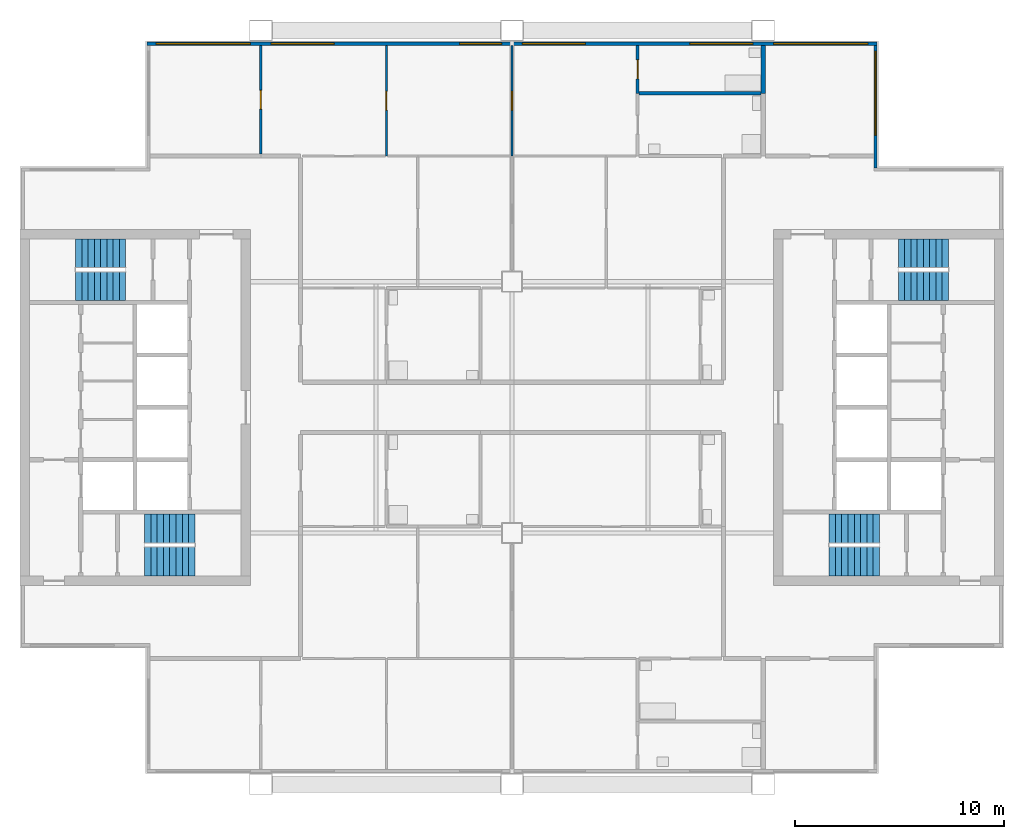
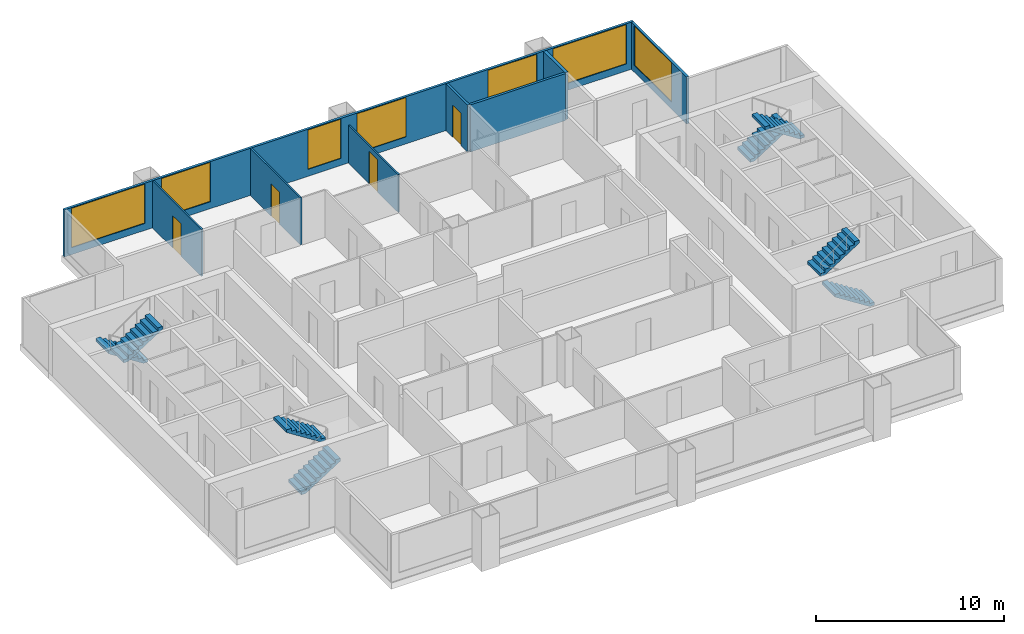
# One storey, part 6 of 8: 8 stair flights, 8 walls, 7 windows, 4 doors, 11 openings, 4 elements without a shape of their own.
"""IFC4 building model written with IfcOpenShell, lengths in metres."""

import ifcopenshell
import ifcopenshell.guid

model = None  # the IFC model being written
_history = None  # IfcOwnerHistory: only IFC2X3 demands one
_inside = {}  # id of a spatial element -> (the spatial element, [elements in it])
_under = {}  # id of a project, library or spatial element -> (it, [spatial elements below it])
_declared = {}  # id of a project -> (the project, [libraries it declares])
_typed = {}  # id of a type object -> (the type object, [elements of that type])
_made_of = {}  # id of a material, layer set ... -> (it, [elements and type objects made of it])


def new_model(schema):
    """Start an empty IFC model of exactly this schema.

    Asked for "IFC4X3", IfcOpenShell would pick the latest addendum, in which some entities
    have other attributes; the version numbers below select the first issue.
    IFC2X3 requires an IfcOwnerHistory on every rooted entity: one is made here for all.
    """
    global model, _history
    if schema == "IFC4X3":
        model = ifcopenshell.file(schema_version=(4, 3, 0, 0))
    else:
        model = ifcopenshell.file(schema=schema)
    _inside.clear()
    _under.clear()
    _declared.clear()
    _typed.clear()
    _made_of.clear()
    _history = None
    if model.schema == "IFC2X3":
        org = make("IfcOrganization", Name="unknown")
        user = make(
            "IfcPersonAndOrganization",
            ThePerson=make("IfcPerson", FamilyName="unknown"),
            TheOrganization=org,
        )
        app = make(
            "IfcApplication",
            ApplicationDeveloper=org,
            Version="unknown",
            ApplicationFullName="unknown",
            ApplicationIdentifier="unknown",
        )
        _history = make(
            "IfcOwnerHistory",
            OwningUser=user,
            OwningApplication=app,
            ChangeAction="ADDED",
            CreationDate=0,
        )
    return model


def make(cls, **values):
    """One entity of the class cls with the attributes given. An attribute that is None is left unset."""
    return model.create_entity(
        cls, **{name: value for name, value in values.items() if value is not None}
    )


def rooted(cls, **values):
    """An entity with a GlobalId (a new one), such as an element, a storey or a relation."""
    return make(cls, GlobalId=ifcopenshell.guid.new(), OwnerHistory=_history, **values)


def si_unit(unit_type, name, prefix=None):
    """IfcSIUnit, for example si_unit("LENGTHUNIT", "METRE", prefix="MILLI")."""
    return make("IfcSIUnit", UnitType=unit_type, Prefix=prefix, Name=name)


def assignment(units):
    """IfcUnitAssignment: the units of a project."""
    return None if units is None else make("IfcUnitAssignment", Units=units)


def point(xyz):
    """IfcCartesianPoint."""
    return None if xyz is None else make("IfcCartesianPoint", Coordinates=xyz)


def direction(xyz):
    """IfcDirection."""
    return None if xyz is None else make("IfcDirection", DirectionRatios=xyz)


def frame(location, z_axis=None, x_axis=None):
    """IfcAxis2Placement3D, a coordinate frame: its origin and axes. An axis left out is left unset."""
    return make(
        "IfcAxis2Placement3D",
        Location=point(location),
        Axis=direction(z_axis),
        RefDirection=direction(x_axis),
    )


def frame_2d(location, x_axis=None):
    """IfcAxis2Placement2D, a coordinate frame in the plane: its origin and x axis."""
    return make(
        "IfcAxis2Placement2D", Location=point(location), RefDirection=direction(x_axis)
    )


def origin():
    """The frame at (0, 0, 0) with its axes left unset."""
    return frame((0.0, 0.0, 0.0))


def place(relative_to, where):
    """IfcLocalPlacement: puts the frame where relative to a parent placement (None: the world)."""
    return make(
        "IfcLocalPlacement", PlacementRelTo=relative_to, RelativePlacement=where
    )


def context(
    kind, dimensions, precision=None, world=None, true_north=None, identifier=None
):
    """IfcGeometricRepresentationContext, for example the 3D "Model" context."""
    return make(
        "IfcGeometricRepresentationContext",
        ContextIdentifier=identifier,
        ContextType=kind,
        CoordinateSpaceDimension=dimensions,
        Precision=precision,
        WorldCoordinateSystem=world,
        TrueNorth=true_north,
    )


def subcontext(parent, identifier, kind, view, scale=None):
    """IfcGeometricRepresentationSubContext, for example "Body" below "Model"."""
    return make(
        "IfcGeometricRepresentationSubContext",
        ContextIdentifier=identifier,
        ContextType=kind,
        ParentContext=parent,
        TargetScale=scale,
        TargetView=view,
    )


def project(units=None, contexts=None):
    """IfcProject with its units and contexts."""
    return rooted(
        "IfcProject",
        Name="project",
        RepresentationContexts=contexts,
        UnitsInContext=assignment(units),
    )


def spatial(cls, under=None, at=None, **own):
    """A site, building, storey or space (cls), placed at a placement, below another one or the project."""
    s = rooted(cls, ObjectPlacement=at, **own)
    if under is not None:
        _under.setdefault(under.id(), (under, []))[1].append(s)
    return s


def polyline(points):
    """IfcPolyline through the points."""
    return make("IfcPolyline", Points=[point(p) for p in points])


def profile(cls, at=None, kind="AREA", **sizes):
    """A parametric profile (cls). Its sizes go by their IFC names, for example OverallWidth=200.0."""
    return make(cls, ProfileType=kind, Position=at, **sizes)


def rectangle(**sizes):
    """IfcRectangleProfileDef."""
    return profile("IfcRectangleProfileDef", **sizes)


def outline(outer, holes=None, kind="AREA"):
    """IfcArbitraryClosedProfileDef: a profile drawn as a closed curve; with holes, ...WithVoids."""
    if holes is None:
        return make("IfcArbitraryClosedProfileDef", ProfileType=kind, OuterCurve=outer)
    return make(
        "IfcArbitraryProfileDefWithVoids",
        ProfileType=kind,
        OuterCurve=outer,
        InnerCurves=holes,
    )


def extrude(swept, where, along, depth):
    """IfcExtrudedAreaSolid: the profile swept, set in the frame where, extruded along a direction by depth."""
    return make(
        "IfcExtrudedAreaSolid",
        SweptArea=swept,
        Position=where,
        ExtrudedDirection=direction(along),
        Depth=depth,
    )


def shape(context_of_items, identifier, shape_type, items):
    """IfcShapeRepresentation: the items that make up one representation, for example the "Body"."""
    return make(
        "IfcShapeRepresentation",
        ContextOfItems=context_of_items,
        RepresentationIdentifier=identifier,
        RepresentationType=shape_type,
        Items=items,
    )


def material(Name=None, Category=None):
    """IfcMaterial."""
    return make("IfcMaterial", Name=Name, Category=Category)


def layer(
    of_material, thickness, ventilated=None, Name=None, Category=None, Priority=None
):
    """IfcMaterialLayer: one layer of a wall or slab, of a material (None: an air gap)."""
    return make(
        "IfcMaterialLayer",
        Material=of_material,
        LayerThickness=thickness,
        IsVentilated=ventilated,
        Name=Name,
        Category=Category,
        Priority=Priority,
    )


def layer_set(layers, Name=None):
    """IfcMaterialLayerSet."""
    return make("IfcMaterialLayerSet", MaterialLayers=layers, LayerSetName=Name)


def made_of(thing, what):
    """Note that an element or type object is made of a material, layer set ...; save() writes the relation."""
    if what is not None:
        _made_of.setdefault(what.id(), (what, []))[1].append(thing)
    return thing


def type_object(cls, material=None, **own):
    """A type object (cls), such as IfcWallType, which elements share."""
    return made_of(rooted(cls, **own), material)


def element(
    cls,
    number,
    at=None,
    inside=None,
    cuts=None,
    type_object=None,
    material=None,
    context=None,
    identifier="Body",
    shape_type=None,
    held_by="IfcProductDefinitionShape",
    body=None,
    shapes=None,
    **own,
):
    """One element of the class cls, such as IfcWall. Its Tag is "e" and its number.

    at: its placement. inside: the storey or other place that contains it. cuts: it is an
    opening in that element (IfcRelVoidsElement). A single representation is given by context,
    identifier, shape_type and body (its items); several are given by shapes. held_by: the class
    of the entity that holds the representations. save() writes the other relations.
    """
    e = rooted(cls, Tag="e%d" % number, ObjectPlacement=at, **own)
    if body is not None:
        shapes = [shape(context, identifier, shape_type, body)]
    if shapes is not None:
        e.Representation = make(held_by, Representations=shapes)
    if inside is not None:
        _inside.setdefault(inside.id(), (inside, []))[1].append(e)
    if cuts is not None:
        rooted(
            "IfcRelVoidsElement", RelatingBuildingElement=cuts, RelatedOpeningElement=e
        )
    if type_object is not None:
        _typed.setdefault(type_object.id(), (type_object, []))[1].append(e)
    return made_of(e, material)


def fill(opening, filler):
    """IfcRelFillsElement: the door or window that sits in an opening."""
    return rooted(
        "IfcRelFillsElement",
        RelatingOpeningElement=opening,
        RelatedBuildingElement=filler,
    )


def aggregate(whole, parts):
    """IfcRelAggregates: a whole, such as a stair, and the parts it consists of."""
    return rooted("IfcRelAggregates", RelatingObject=whole, RelatedObjects=parts)


def save(model, path):
    """Write the relations noted so far, then the file.

    IfcRelAggregates (storeys below a building ...), IfcRelContainedInSpatialStructure (elements
    in a storey), IfcRelDefinesByType, IfcRelAssociatesMaterial and IfcRelDeclares: one each for
    every whole, place, type object, material and project.
    """
    for whole, parts in _under.values():
        aggregate(whole, parts)
    for where, things in _inside.values():
        rooted(
            "IfcRelContainedInSpatialStructure",
            RelatedElements=things,
            RelatingStructure=where,
        )
    for kind, things in _typed.values():
        rooted("IfcRelDefinesByType", RelatedObjects=things, RelatingType=kind)
    for what, things in _made_of.values():
        rooted("IfcRelAssociatesMaterial", RelatedObjects=things, RelatingMaterial=what)
    for by, libraries in _declared.values():
        rooted("IfcRelDeclares", RelatingContext=by, RelatedDefinitions=libraries)
    model.write(path)


model = new_model("IFC4")

# Units and contexts
model_context = context("Model", 3, precision=1e-05, world=origin(), true_north=direction((0.0, 1.0)))
body_context = subcontext(model_context, "Body", "Model", "MODEL_VIEW")
ifc_project = project(units=[si_unit("LENGTHUNIT", "METRE"), si_unit("AREAUNIT", "SQUARE_METRE"), si_unit("VOLUMEUNIT", "CUBIC_METRE"), si_unit("PLANEANGLEUNIT", "RADIAN"), si_unit("MASSUNIT", "GRAM", prefix="KILO")], contexts=[model_context])

# Site, building, storey
site_placement = place(None, origin())
site = spatial("IfcSite", under=ifc_project, at=site_placement, CompositionType="ELEMENT")
building_placement = place(site_placement, origin())
building = spatial("IfcBuilding", under=site, at=building_placement, Name="Kitamizu Gate Tower and Museum", CompositionType="ELEMENT")
storey_placement = place(building_placement, frame((0.0, 0.0, 228.300048828125)))
storey = spatial("IfcBuildingStorey", under=building, at=storey_placement, Name="L61", CompositionType="ELEMENT", Elevation=228.300048828125)

# Wall, opening, door
ifc_material_1 = material(Name="Gypsum board on galvanised stud")
ifc_layer_1 = layer(ifc_material_1, 0.10009765625)
ifc_layer_set_1 = layer_set([ifc_layer_1], Name="Gypsum board on galvanised stud")
wall_type_1 = type_object("IfcWallType", Name="Partition 100 NOT RATED", PredefinedType="PARTITIONING", material=ifc_layer_set_1)
wall_1_placement = place(storey_placement, frame((24.0, 42.10009765625, 0.0), z_axis=(0.0, 0.0, 1.0), x_axis=(0.0, 1.0, 0.0)))
wall_1 = element("IfcWall", 1, at=wall_1_placement, inside=storey, type_object=wall_type_1, Name="Partition L61-038", PredefinedType="PARTITIONING", context=body_context, shape_type="SweptSolid", body=[
    extrude(rectangle(XDim=5.179931640625, YDim=0.10009765625, at=frame_2d((2.58984375, 0.0))), origin(), (0.0, 0.0, 1.0), 3.050048828125),
])
opening_1_placement = place(wall_1_placement, frame((2.139892578125, 0.0, 0.0)))
opening_1 = element("IfcOpeningElement", 2, at=opening_1_placement, cuts=wall_1, Name="Opening L61-027", PredefinedType="OPENING", context=body_context, shape_type="SweptSolid", body=[
    extrude(rectangle(XDim=0.89990234375, YDim=2.10009765625, at=frame_2d((0.449951171875, 1.050048828125))), frame((0.0, 0.06005859375, 0.0), z_axis=(0.0, -1.0, 0.0), x_axis=(1.0, 0.0, 0.0)), (0.0, 0.0, 1.0), 0.1201171875),
])
ifc_material_2 = material(Name="Timber door set", Category="wood")
door_type_1 = type_object("IfcDoorType", Name="Room door 900", OperationType="NOTDEFINED", PredefinedType="DOOR", material=ifc_material_2)
door_1_placement = place(opening_1_placement, origin())
door_1 = element("IfcDoor", 3, at=door_1_placement, inside=storey, type_object=door_type_1, Name="Door L61-027", OperationType="SINGLE_SWING_RIGHT", OverallHeight=2.10009765625, OverallWidth=0.89990234375, PredefinedType="DOOR", context=body_context, shape_type="SweptSolid", body=[
    extrude(rectangle(XDim=0.89990234375, YDim=2.10009765625, at=frame_2d((0.449951171875, 1.050048828125))), frame((0.0, 0.02490234375, 0.0), z_axis=(0.0, -1.0, 0.0), x_axis=(1.0, 0.0, 0.0)), (0.0, 0.0, 1.0), 0.050048828125),
])
fill(opening_1, door_1)

wall_2_placement = place(storey_placement, frame((30.0, 42.0, 0.0), z_axis=(0.0, 0.0, 1.0), x_axis=(0.0, 1.0, 0.0)))
wall_2 = element("IfcWall", 4, at=wall_2_placement, inside=storey, type_object=wall_type_1, Name="Partition L61-040", PredefinedType="PARTITIONING", context=body_context, shape_type="SweptSolid", body=[
    extrude(rectangle(XDim=5.280029296875, YDim=0.10009765625, at=frame_2d((2.64013671875, 0.0))), origin(), (0.0, 0.0, 1.0), 3.050048828125),
])
opening_2_placement = place(wall_2_placement, frame((2.18994140625, 0.0, 0.0)))
opening_2 = element("IfcOpeningElement", 5, at=opening_2_placement, cuts=wall_2, Name="Opening L61-018", PredefinedType="OPENING", context=body_context, shape_type="SweptSolid", body=[
    extrude(rectangle(XDim=0.89990234375, YDim=2.10009765625, at=frame_2d((0.449951171875, 1.050048828125))), frame((0.0, 0.06005859375, 0.0), z_axis=(0.0, -1.0, 0.0), x_axis=(1.0, 0.0, 0.0)), (0.0, 0.0, 1.0), 0.1201171875),
])
door_2_placement = place(opening_2_placement, origin())
door_2 = element("IfcDoor", 6, at=door_2_placement, inside=storey, type_object=door_type_1, Name="Door L61-018", OperationType="SINGLE_SWING_LEFT", OverallHeight=2.10009765625, OverallWidth=0.89990234375, PredefinedType="DOOR", context=body_context, shape_type="SweptSolid", body=[
    extrude(rectangle(XDim=0.89990234375, YDim=2.10009765625, at=frame_2d((0.449951171875, 1.050048828125))), frame((0.0, 0.02490234375, 0.0), z_axis=(0.0, -1.0, 0.0), x_axis=(1.0, 0.0, 0.0)), (0.0, 0.0, 1.0), 0.050048828125),
])
fill(opening_2, door_2)

wall_3_placement = place(storey_placement, frame((36.0, 42.0, 0.0), z_axis=(0.0, 0.0, 1.0), x_axis=(0.0, 1.0, 0.0)))
wall_3 = element("IfcWall", 7, at=wall_3_placement, inside=storey, type_object=wall_type_1, Name="Partition L61-043", PredefinedType="PARTITIONING", context=body_context, shape_type="SweptSolid", body=[
    extrude(rectangle(XDim=5.280029296875, YDim=0.10009765625, at=frame_2d((2.64013671875, 0.0))), origin(), (0.0, 0.0, 1.0), 2.449951171875),
])
opening_3_placement = place(wall_3_placement, frame((2.18994140625, 0.0, 0.0)))
opening_3 = element("IfcOpeningElement", 8, at=opening_3_placement, cuts=wall_3, Name="Opening L61-019", PredefinedType="OPENING", context=body_context, shape_type="SweptSolid", body=[
    extrude(rectangle(XDim=0.89990234375, YDim=2.10009765625, at=frame_2d((0.449951171875, 1.050048828125))), frame((0.0, 0.06005859375, 0.0), z_axis=(0.0, -1.0, 0.0), x_axis=(1.0, 0.0, 0.0)), (0.0, 0.0, 1.0), 0.1201171875),
])
door_3_placement = place(opening_3_placement, origin())
door_3 = element("IfcDoor", 9, at=door_3_placement, inside=storey, type_object=door_type_1, Name="Door L61-019", OperationType="SINGLE_SWING_RIGHT", OverallHeight=2.10009765625, OverallWidth=0.89990234375, PredefinedType="DOOR", context=body_context, shape_type="SweptSolid", body=[
    extrude(rectangle(XDim=0.89990234375, YDim=2.10009765625, at=frame_2d((0.449951171875, 1.050048828125))), frame((0.0, 0.02490234375, 0.0), z_axis=(0.0, -1.0, 0.0), x_axis=(1.0, 0.0, 0.0)), (0.0, 0.0, 1.0), 0.050048828125),
])
fill(opening_3, door_3)

ifc_material_3 = material(Name="Gypsum board on galvanised stud")
ifc_layer_2 = layer(ifc_material_3, 0.14990234375)
ifc_layer_set_2 = layer_set([ifc_layer_2], Name="Gypsum board on galvanised stud")
wall_type_2 = type_object("IfcWallType", Name="Partition 150", PredefinedType="PARTITIONING", material=ifc_layer_set_2)
wall_4_placement = place(storey_placement, frame((42.0, 45.0, 0.0), z_axis=(0.0, 0.0, 1.0), x_axis=(0.0, 1.0, 0.0)))
wall_4 = element("IfcWall", 10, at=wall_4_placement, inside=storey, type_object=wall_type_2, Name="Partition L61-047", PredefinedType="PARTITIONING", context=body_context, shape_type="SweptSolid", body=[
    extrude(rectangle(XDim=2.280029296875, YDim=0.14990234375, at=frame_2d((1.14013671875, 0.0))), origin(), (0.0, 0.0, 1.0), 3.050048828125),
])
opening_4_placement = place(wall_4_placement, frame((0.68994140625, 0.0, 0.0)))
opening_4 = element("IfcOpeningElement", 11, at=opening_4_placement, cuts=wall_4, Name="Opening L61-021", PredefinedType="OPENING", context=body_context, shape_type="SweptSolid", body=[
    extrude(rectangle(XDim=0.89990234375, YDim=2.10009765625, at=frame_2d((0.449951171875, 1.050048828125))), frame((0.0, 0.0849609375, 0.0), z_axis=(0.0, -1.0, 0.0), x_axis=(1.0, 0.0, 0.0)), (0.0, 0.0, 1.0), 0.169921875),
])
ifc_material_4 = material(Name="Timber door set", Category="wood")
door_type_2 = type_object("IfcDoorType", Name="Bathroom door 900", OperationType="NOTDEFINED", PredefinedType="DOOR", material=ifc_material_4)
door_4_placement = place(opening_4_placement, frame((0.89990234375, 0.0, 0.0), x_axis=(-1.0, 0.0, 0.0)))
door_4 = element("IfcDoor", 12, at=door_4_placement, inside=storey, type_object=door_type_2, Name="Bathroom door L61-021", OperationType="SINGLE_SWING_LEFT", OverallHeight=2.10009765625, OverallWidth=0.89990234375, PredefinedType="DOOR", context=body_context, shape_type="SweptSolid", body=[
    extrude(rectangle(XDim=0.89990234375, YDim=2.10009765625, at=frame_2d((0.449951171875, 1.050048828125))), frame((0.0, 0.02490234375, 0.0), z_axis=(0.0, -1.0, 0.0), x_axis=(1.0, 0.0, 0.0)), (0.0, 0.0, 1.0), 0.050048828125),
])
fill(opening_4, door_4)

# Walls
wall_5_placement = place(storey_placement, frame((47.89990234375, 45.0, 0.0), z_axis=(0.0, 0.0, 1.0), x_axis=(-1.0, 0.0, 0.0)))
element("IfcWall", 13, at=wall_5_placement, inside=storey, type_object=wall_type_2, Name="Partition L61-050", PredefinedType="PARTITIONING", context=body_context, shape_type="SweptSolid", body=[
    extrude(rectangle(XDim=5.824951171875, YDim=0.14990234375, at=frame_2d((2.91259765625, 0.0))), origin(), (0.0, 0.0, 1.0), 3.050048828125),
])
ifc_material_5 = material(Name="Gypsum board on galvanised stud")
ifc_layer_3 = layer(ifc_material_5, 0.199951171875)
ifc_layer_set_3 = layer_set([ifc_layer_3], Name="Gypsum board on galvanised stud")
wall_type_3 = type_object("IfcWallType", Name="Partition 200", PredefinedType="PARTITIONING", material=ifc_layer_set_3)
wall_6_placement = place(storey_placement, frame((48.0, 45.0, 0.0), z_axis=(0.0, 0.0, 1.0), x_axis=(0.0, 1.0, 0.0)))
element("IfcWall", 14, at=wall_6_placement, inside=storey, type_object=wall_type_3, Name="Partition L61-054", PredefinedType="PARTITIONING", context=body_context, shape_type="SweptSolid", body=[
    extrude(rectangle(XDim=2.280029296875, YDim=0.199951171875, at=frame_2d((1.14013671875, 0.0))), origin(), (0.0, 0.0, 1.0), 3.050048828125),
])

# Wall, opening, window
ifc_material_6 = material(Name="Bronze anodised aluminium frame with insulated spandrel and tinted glass", Category="aluminium")
ifc_layer_4 = layer(ifc_material_6, 0.14990234375)
ifc_layer_set_4 = layer_set([ifc_layer_4], Name="Bronze anodised aluminium frame with insulated spandrel and tinted glass")
wall_type_4 = type_object("IfcWallType", Name="WINDOW WALL 150 BRONZE FRAME EI 30", PredefinedType="ELEMENTEDWALL", material=ifc_layer_set_4)
wall_7_placement = place(storey_placement, frame((53.364990234375, 41.43994140625, 0.0), z_axis=(0.0, 0.0, 1.0), x_axis=(0.0, 1.0, 0.0)))
wall_7 = element("IfcWall", 15, at=wall_7_placement, inside=storey, type_object=wall_type_4, Name="Window wall east L61", PredefinedType="ELEMENTEDWALL", context=body_context, shape_type="SweptSolid", body=[
    extrude(rectangle(XDim=5.85009765625, YDim=0.14990234375, at=frame_2d((2.925048828125, 0.0))), origin(), (0.0, 0.0, 1.0), 3.050048828125),
])
opening_5_placement = place(wall_7_placement, frame((1.56005859375, 0.0, 0.449951171875)))
opening_5 = element("IfcOpeningElement", 16, at=opening_5_placement, cuts=wall_7, Name="Opening W16", PredefinedType="OPENING", context=body_context, shape_type="SweptSolid", body=[
    extrude(rectangle(XDim=4.0, YDim=2.550048828125, at=frame_2d((2.0, 1.27490234375))), frame((0.0, 0.0849609375, 0.0), z_axis=(0.0, -1.0, 0.0), x_axis=(1.0, 0.0, 0.0)), (0.0, 0.0, 1.0), 0.169921875),
])
ifc_material_7 = material(Name="Bronze anodised aluminium frame, tinted triple glazing", Category="aluminium")
window_type_1 = type_object("IfcWindowType", Name="WINDOW 4000 x 2550 SILL 450", PartitioningType="SINGLE_PANEL", PredefinedType="WINDOW", material=ifc_material_7)
window_1_placement = place(opening_5_placement, origin())
window_1 = element("IfcWindow", 17, at=window_1_placement, inside=storey, type_object=window_type_1, Name="Window W16 L61", OverallHeight=2.550048828125, OverallWidth=4.0, PartitioningType="SINGLE_PANEL", PredefinedType="WINDOW", context=body_context, shape_type="SweptSolid", body=[
    extrude(rectangle(XDim=4.0, YDim=2.550048828125, at=frame_2d((2.0, 1.27490234375))), frame((0.0, 0.030029296875, 0.0), z_axis=(0.0, -1.0, 0.0), x_axis=(1.0, 0.0, 0.0)), (0.0, 0.0, 1.0), 0.06005859375),
])
fill(opening_5, window_1)

# Wall, openings, windows
wall_8_placement = place(storey_placement, frame((18.56005859375, 47.364990234375, 0.0), z_axis=(0.0, 0.0, 1.0), x_axis=(1.0, 0.0, 0.0)))
wall_8 = element("IfcWall", 18, at=wall_8_placement, inside=storey, type_object=wall_type_4, Name="Window wall north L61", PredefinedType="ELEMENTEDWALL", context=body_context, shape_type="SweptSolid", body=[
    extrude(rectangle(XDim=34.8798828125, YDim=0.14990234375, at=frame_2d((17.43994140625, 0.0))), origin(), (0.0, 0.0, 1.0), 3.050048828125),
])
opening_6_placement = place(wall_8_placement, frame((0.43994140625, 0.0, 0.449951171875)))
opening_6 = element("IfcOpeningElement", 19, at=opening_6_placement, cuts=wall_8, Name="Opening W15", PredefinedType="OPENING", context=body_context, shape_type="SweptSolid", body=[
    extrude(rectangle(XDim=4.5, YDim=2.550048828125, at=frame_2d((2.25, 1.27490234375))), frame((0.0, 0.0849609375, 0.0), z_axis=(0.0, -1.0, 0.0), x_axis=(1.0, 0.0, 0.0)), (0.0, 0.0, 1.0), 0.169921875),
])
opening_7_placement = place(wall_8_placement, frame((5.93994140625, 0.0, 0.449951171875)))
opening_7 = element("IfcOpeningElement", 20, at=opening_7_placement, cuts=wall_8, Name="Opening W33", PredefinedType="OPENING", context=body_context, shape_type="SweptSolid", body=[
    extrude(rectangle(XDim=3.0, YDim=2.550048828125, at=frame_2d((1.5, 1.27490234375))), frame((0.0, 0.0849609375, 0.0), z_axis=(0.0, -1.0, 0.0), x_axis=(1.0, 0.0, 0.0)), (0.0, 0.0, 1.0), 0.169921875),
])
opening_8_placement = place(wall_8_placement, frame((14.93994140625, 0.0, 0.449951171875)))
opening_8 = element("IfcOpeningElement", 21, at=opening_8_placement, cuts=wall_8, Name="Opening W2", PredefinedType="OPENING", context=body_context, shape_type="SweptSolid", body=[
    extrude(rectangle(XDim=2.0, YDim=2.550048828125, at=frame_2d((1.0, 1.27490234375))), frame((0.0, 0.0849609375, 0.0), z_axis=(0.0, -1.0, 0.0), x_axis=(1.0, 0.0, 0.0)), (0.0, 0.0, 1.0), 0.169921875),
])
opening_9_placement = place(wall_8_placement, frame((17.93994140625, 0.0, 0.449951171875)))
opening_9 = element("IfcOpeningElement", 22, at=opening_9_placement, cuts=wall_8, Name="Opening W33", PredefinedType="OPENING", context=body_context, shape_type="SweptSolid", body=[
    extrude(rectangle(XDim=3.0, YDim=2.550048828125, at=frame_2d((1.5, 1.27490234375))), frame((0.0, 0.0849609375, 0.0), z_axis=(0.0, -1.0, 0.0), x_axis=(1.0, 0.0, 0.0)), (0.0, 0.0, 1.0), 0.169921875),
])
opening_10_placement = place(wall_8_placement, frame((25.93994140625, 0.0, 0.449951171875)))
opening_10 = element("IfcOpeningElement", 23, at=opening_10_placement, cuts=wall_8, Name="Opening W33", PredefinedType="OPENING", context=body_context, shape_type="SweptSolid", body=[
    extrude(rectangle(XDim=3.0, YDim=2.550048828125, at=frame_2d((1.5, 1.27490234375))), frame((0.0, 0.0849609375, 0.0), z_axis=(0.0, -1.0, 0.0), x_axis=(1.0, 0.0, 0.0)), (0.0, 0.0, 1.0), 0.169921875),
])
opening_11_placement = place(wall_8_placement, frame((29.93994140625, 0.0, 0.449951171875)))
opening_11 = element("IfcOpeningElement", 24, at=opening_11_placement, cuts=wall_8, Name="Opening W15", PredefinedType="OPENING", context=body_context, shape_type="SweptSolid", body=[
    extrude(rectangle(XDim=4.5, YDim=2.550048828125, at=frame_2d((2.25, 1.27490234375))), frame((0.0, 0.0849609375, 0.0), z_axis=(0.0, -1.0, 0.0), x_axis=(1.0, 0.0, 0.0)), (0.0, 0.0, 1.0), 0.169921875),
])
ifc_material_8 = material(Name="Bronze anodised aluminium frame, tinted triple glazing", Category="aluminium")
window_type_2 = type_object("IfcWindowType", Name="WINDOW 2000 x 2550 SILL 450", PartitioningType="SINGLE_PANEL", PredefinedType="WINDOW", material=ifc_material_8)
window_2_placement = place(opening_8_placement, origin())
window_2 = element("IfcWindow", 25, at=window_2_placement, inside=storey, type_object=window_type_2, Name="Window W2 L61", OverallHeight=2.550048828125, OverallWidth=2.0, PartitioningType="SINGLE_PANEL", PredefinedType="WINDOW", context=body_context, shape_type="SweptSolid", body=[
    extrude(rectangle(XDim=2.0, YDim=2.550048828125, at=frame_2d((1.0, 1.27490234375))), frame((0.0, 0.030029296875, 0.0), z_axis=(0.0, -1.0, 0.0), x_axis=(1.0, 0.0, 0.0)), (0.0, 0.0, 1.0), 0.06005859375),
])
fill(opening_8, window_2)
ifc_material_9 = material(Name="Bronze anodised aluminium frame, tinted triple glazing", Category="aluminium")
window_type_3 = type_object("IfcWindowType", Name="WINDOW 3000 x 2550 SILL 450", PartitioningType="SINGLE_PANEL", PredefinedType="WINDOW", material=ifc_material_9)
window_3_placement = place(opening_7_placement, origin())
window_3 = element("IfcWindow", 26, at=window_3_placement, inside=storey, type_object=window_type_3, Name="Window W33 L61", OverallHeight=2.550048828125, OverallWidth=3.0, PartitioningType="SINGLE_PANEL", PredefinedType="WINDOW", context=body_context, shape_type="SweptSolid", body=[
    extrude(rectangle(XDim=3.0, YDim=2.550048828125, at=frame_2d((1.5, 1.27490234375))), frame((0.0, 0.030029296875, 0.0), z_axis=(0.0, -1.0, 0.0), x_axis=(1.0, 0.0, 0.0)), (0.0, 0.0, 1.0), 0.06005859375),
])
fill(opening_7, window_3)
window_4_placement = place(opening_9_placement, origin())
window_4 = element("IfcWindow", 27, at=window_4_placement, inside=storey, type_object=window_type_3, Name="Window W33 L61", OverallHeight=2.550048828125, OverallWidth=3.0, PartitioningType="SINGLE_PANEL", PredefinedType="WINDOW", context=body_context, shape_type="SweptSolid", body=[
    extrude(rectangle(XDim=3.0, YDim=2.550048828125, at=frame_2d((1.5, 1.27490234375))), frame((0.0, 0.030029296875, 0.0), z_axis=(0.0, -1.0, 0.0), x_axis=(1.0, 0.0, 0.0)), (0.0, 0.0, 1.0), 0.06005859375),
])
fill(opening_9, window_4)
window_5_placement = place(opening_10_placement, origin())
window_5 = element("IfcWindow", 28, at=window_5_placement, inside=storey, type_object=window_type_3, Name="Window W33 L61", OverallHeight=2.550048828125, OverallWidth=3.0, PartitioningType="SINGLE_PANEL", PredefinedType="WINDOW", context=body_context, shape_type="SweptSolid", body=[
    extrude(rectangle(XDim=3.0, YDim=2.550048828125, at=frame_2d((1.5, 1.27490234375))), frame((0.0, 0.030029296875, 0.0), z_axis=(0.0, -1.0, 0.0), x_axis=(1.0, 0.0, 0.0)), (0.0, 0.0, 1.0), 0.06005859375),
])
fill(opening_10, window_5)
ifc_material_10 = material(Name="Bronze anodised aluminium frame, tinted triple glazing", Category="aluminium")
window_type_4 = type_object("IfcWindowType", Name="WINDOW 4500 x 2550 SILL 450", PartitioningType="SINGLE_PANEL", PredefinedType="WINDOW", material=ifc_material_10)
window_6_placement = place(opening_6_placement, origin())
window_6 = element("IfcWindow", 29, at=window_6_placement, inside=storey, type_object=window_type_4, Name="Window W15 L61", OverallHeight=2.550048828125, OverallWidth=4.5, PartitioningType="SINGLE_PANEL", PredefinedType="WINDOW", context=body_context, shape_type="SweptSolid", body=[
    extrude(rectangle(XDim=4.5, YDim=2.550048828125, at=frame_2d((2.25, 1.27490234375))), frame((0.0, 0.030029296875, 0.0), z_axis=(0.0, -1.0, 0.0), x_axis=(1.0, 0.0, 0.0)), (0.0, 0.0, 1.0), 0.06005859375),
])
fill(opening_6, window_6)
window_7_placement = place(opening_11_placement, origin())
window_7 = element("IfcWindow", 30, at=window_7_placement, inside=storey, type_object=window_type_4, Name="Window W15 L61", OverallHeight=2.550048828125, OverallWidth=4.5, PartitioningType="SINGLE_PANEL", PredefinedType="WINDOW", context=body_context, shape_type="SweptSolid", body=[
    extrude(rectangle(XDim=4.5, YDim=2.550048828125, at=frame_2d((2.25, 1.27490234375))), frame((0.0, 0.030029296875, 0.0), z_axis=(0.0, -1.0, 0.0), x_axis=(1.0, 0.0, 0.0)), (0.0, 0.0, 1.0), 0.06005859375),
])
fill(opening_11, window_7)

# Stair, stair flights
ifc_material_11 = material(Name="Concrete Fc42", Category="concrete")
stair_type = type_object("IfcStairType", Name="Exit stair 1375 wide 192 rise 300 going", PredefinedType="HALF_TURN_STAIR", material=ifc_material_11)
stair_1_placement = place(storey_placement, origin())
stair_1 = element("IfcStair", 31, at=stair_1_placement, inside=storey, type_object=stair_type, Name="Exit stair ST1", PredefinedType="HALF_TURN_STAIR")
ifc_material_12 = material(Name="Concrete Fc42", Category="concrete")
stair_flight_type = type_object("IfcStairFlightType", Name="Stair flight 1375 wide 192 rise 300 going", PredefinedType="STRAIGHT", material=ifc_material_12)
stair_flight_1_placement = place(storey_placement, frame((18.449951171875, 22.637451171875, 0.0), z_axis=(0.0, 0.0, 1.0), x_axis=(1.0, 0.0, 0.0)))
stair_flight_1 = element("IfcStairFlight", 32, at=stair_flight_1_placement, type_object=stair_flight_type, Name="ST1 flight 1", NumberOfRisers=9, NumberOfTreads=8, PredefinedType="STRAIGHT", RiserHeight=0.191666667, TreadLength=0.3, context=body_context, shape_type="SweptSolid", body=[
    extrude(outline(polyline([(0.0, 0.0), (0.0, 0.191650390625), (0.300048828125, 0.191650390625), (0.300048828125, 0.38330078125), (0.60009765625, 0.38330078125), (0.60009765625, 0.574951171875), (0.89990234375, 0.574951171875), (0.89990234375, 0.7666015625), (1.199951171875, 0.7666015625), (1.199951171875, 0.958251953125), (1.5, 0.958251953125), (1.5, 1.14990234375), (1.800048828125, 1.14990234375), (1.800048828125, 1.341552734375), (2.10009765625, 1.341552734375), (2.10009765625, 1.533447265625), (2.39990234375, 1.533447265625), (2.39990234375, 1.72509765625), (2.39990234375, 1.35546875), (0.2783203125, 0.0), (0.0, 0.0)])), frame((0.0, 0.6875, 0.0), z_axis=(0.0, -1.0, 0.0), x_axis=(1.0, 0.0, 0.0)), (0.0, 0.0, 1.0), 1.375),
])
stair_flight_2_placement = place(storey_placement, frame((20.85009765625, 24.21240234375, 1.724853515625), z_axis=(0.0, 0.0, 1.0), x_axis=(-1.0, 0.0, 0.0)))
stair_flight_2 = element("IfcStairFlight", 33, at=stair_flight_2_placement, type_object=stair_flight_type, Name="ST1 flight 2", NumberOfRisers=9, NumberOfTreads=8, PredefinedType="STRAIGHT", RiserHeight=0.191666667, TreadLength=0.3, context=body_context, shape_type="SweptSolid", body=[
    extrude(outline(polyline([(0.0, 0.0), (0.0, 0.191650390625), (0.300048828125, 0.191650390625), (0.300048828125, 0.38330078125), (0.60009765625, 0.38330078125), (0.60009765625, 0.574951171875), (0.89990234375, 0.574951171875), (0.89990234375, 0.7666015625), (1.199951171875, 0.7666015625), (1.199951171875, 0.958251953125), (1.5, 0.958251953125), (1.5, 1.14990234375), (1.800048828125, 1.14990234375), (1.800048828125, 1.341552734375), (2.10009765625, 1.341552734375), (2.10009765625, 1.533447265625), (2.39990234375, 1.533447265625), (2.39990234375, 1.72509765625), (2.39990234375, 1.35546875), (0.2783203125, 0.0), (0.0, 0.0)])), frame((0.0, 0.6875, 0.0), z_axis=(0.0, -1.0, 0.0), x_axis=(1.0, 0.0, 0.0)), (0.0, 0.0, 1.0), 1.375),
])
aggregate(stair_1, [stair_flight_1, stair_flight_2])

stair_2_placement = place(storey_placement, origin())
stair_2 = element("IfcStair", 34, at=stair_2_placement, inside=storey, type_object=stair_type, Name="Exit stair ST2", PredefinedType="HALF_TURN_STAIR")
stair_flight_3_placement = place(storey_placement, frame((17.550048828125, 37.362548828125, 0.0), z_axis=(0.0, 0.0, 1.0), x_axis=(-1.0, 0.0, 0.0)))
stair_flight_3 = element("IfcStairFlight", 35, at=stair_flight_3_placement, type_object=stair_flight_type, Name="ST2 flight 1", NumberOfRisers=9, NumberOfTreads=8, PredefinedType="STRAIGHT", RiserHeight=0.191666667, TreadLength=0.3, context=body_context, shape_type="SweptSolid", body=[
    extrude(outline(polyline([(0.0, 0.0), (0.0, 0.191650390625), (0.300048828125, 0.191650390625), (0.300048828125, 0.38330078125), (0.60009765625, 0.38330078125), (0.60009765625, 0.574951171875), (0.89990234375, 0.574951171875), (0.89990234375, 0.7666015625), (1.199951171875, 0.7666015625), (1.199951171875, 0.958251953125), (1.5, 0.958251953125), (1.5, 1.14990234375), (1.800048828125, 1.14990234375), (1.800048828125, 1.341552734375), (2.10009765625, 1.341552734375), (2.10009765625, 1.533447265625), (2.39990234375, 1.533447265625), (2.39990234375, 1.72509765625), (2.39990234375, 1.35546875), (0.2783203125, 0.0), (0.0, 0.0)])), frame((0.0, 0.6875, 0.0), z_axis=(0.0, -1.0, 0.0), x_axis=(1.0, 0.0, 0.0)), (0.0, 0.0, 1.0), 1.375),
])
stair_flight_4_placement = place(storey_placement, frame((15.14990234375, 35.78759765625, 1.724853515625), z_axis=(0.0, 0.0, 1.0), x_axis=(1.0, 0.0, 0.0)))
stair_flight_4 = element("IfcStairFlight", 36, at=stair_flight_4_placement, type_object=stair_flight_type, Name="ST2 flight 2", NumberOfRisers=9, NumberOfTreads=8, PredefinedType="STRAIGHT", RiserHeight=0.191666667, TreadLength=0.3, context=body_context, shape_type="SweptSolid", body=[
    extrude(outline(polyline([(0.0, 0.0), (0.0, 0.191650390625), (0.300048828125, 0.191650390625), (0.300048828125, 0.38330078125), (0.60009765625, 0.38330078125), (0.60009765625, 0.574951171875), (0.89990234375, 0.574951171875), (0.89990234375, 0.7666015625), (1.199951171875, 0.7666015625), (1.199951171875, 0.958251953125), (1.5, 0.958251953125), (1.5, 1.14990234375), (1.800048828125, 1.14990234375), (1.800048828125, 1.341552734375), (2.10009765625, 1.341552734375), (2.10009765625, 1.533447265625), (2.39990234375, 1.533447265625), (2.39990234375, 1.72509765625), (2.39990234375, 1.35546875), (0.2783203125, 0.0), (0.0, 0.0)])), frame((0.0, 0.6875, 0.0), z_axis=(0.0, -1.0, 0.0), x_axis=(1.0, 0.0, 0.0)), (0.0, 0.0, 1.0), 1.375),
])
aggregate(stair_2, [stair_flight_3, stair_flight_4])

stair_3_placement = place(storey_placement, origin())
stair_3 = element("IfcStair", 37, at=stair_3_placement, inside=storey, type_object=stair_type, Name="Exit stair ST3", PredefinedType="HALF_TURN_STAIR")
stair_flight_5_placement = place(storey_placement, frame((53.550048828125, 22.637451171875, 0.0), z_axis=(0.0, 0.0, 1.0), x_axis=(-1.0, 0.0, 0.0)))
stair_flight_5 = element("IfcStairFlight", 38, at=stair_flight_5_placement, type_object=stair_flight_type, Name="ST3 flight 1", NumberOfRisers=9, NumberOfTreads=8, PredefinedType="STRAIGHT", RiserHeight=0.191666667, TreadLength=0.3, context=body_context, shape_type="SweptSolid", body=[
    extrude(outline(polyline([(0.0, 0.0), (0.0, 0.191650390625), (0.300048828125, 0.191650390625), (0.300048828125, 0.38330078125), (0.60009765625, 0.38330078125), (0.60009765625, 0.574951171875), (0.89990234375, 0.574951171875), (0.89990234375, 0.7666015625), (1.199951171875, 0.7666015625), (1.199951171875, 0.958251953125), (1.5, 0.958251953125), (1.5, 1.14990234375), (1.800048828125, 1.14990234375), (1.800048828125, 1.341552734375), (2.10009765625, 1.341552734375), (2.10009765625, 1.533447265625), (2.39990234375, 1.533447265625), (2.39990234375, 1.72509765625), (2.39990234375, 1.35546875), (0.2783203125, 0.0), (0.0, 0.0)])), frame((0.0, 0.6875, 0.0), z_axis=(0.0, -1.0, 0.0), x_axis=(1.0, 0.0, 0.0)), (0.0, 0.0, 1.0), 1.375),
])
stair_flight_6_placement = place(storey_placement, frame((51.14990234375, 24.21240234375, 1.724853515625), z_axis=(0.0, 0.0, 1.0), x_axis=(1.0, 0.0, 0.0)))
stair_flight_6 = element("IfcStairFlight", 39, at=stair_flight_6_placement, type_object=stair_flight_type, Name="ST3 flight 2", NumberOfRisers=9, NumberOfTreads=8, PredefinedType="STRAIGHT", RiserHeight=0.191666667, TreadLength=0.3, context=body_context, shape_type="SweptSolid", body=[
    extrude(outline(polyline([(0.0, 0.0), (0.0, 0.191650390625), (0.300048828125, 0.191650390625), (0.300048828125, 0.38330078125), (0.60009765625, 0.38330078125), (0.60009765625, 0.574951171875), (0.89990234375, 0.574951171875), (0.89990234375, 0.7666015625), (1.199951171875, 0.7666015625), (1.199951171875, 0.958251953125), (1.5, 0.958251953125), (1.5, 1.14990234375), (1.800048828125, 1.14990234375), (1.800048828125, 1.341552734375), (2.10009765625, 1.341552734375), (2.10009765625, 1.533447265625), (2.39990234375, 1.533447265625), (2.39990234375, 1.72509765625), (2.39990234375, 1.35546875), (0.2783203125, 0.0), (0.0, 0.0)])), frame((0.0, 0.6875, 0.0), z_axis=(0.0, -1.0, 0.0), x_axis=(1.0, 0.0, 0.0)), (0.0, 0.0, 1.0), 1.375),
])
aggregate(stair_3, [stair_flight_5, stair_flight_6])

stair_4_placement = place(storey_placement, origin())
stair_4 = element("IfcStair", 40, at=stair_4_placement, inside=storey, type_object=stair_type, Name="Exit stair ST4", PredefinedType="HALF_TURN_STAIR")
stair_flight_7_placement = place(storey_placement, frame((54.449951171875, 37.362548828125, 0.0), z_axis=(0.0, 0.0, 1.0), x_axis=(1.0, 0.0, 0.0)))
stair_flight_7 = element("IfcStairFlight", 41, at=stair_flight_7_placement, type_object=stair_flight_type, Name="ST4 flight 1", NumberOfRisers=9, NumberOfTreads=8, PredefinedType="STRAIGHT", RiserHeight=0.191666667, TreadLength=0.3, context=body_context, shape_type="SweptSolid", body=[
    extrude(outline(polyline([(0.0, 0.0), (0.0, 0.191650390625), (0.300048828125, 0.191650390625), (0.300048828125, 0.38330078125), (0.60009765625, 0.38330078125), (0.60009765625, 0.574951171875), (0.89990234375, 0.574951171875), (0.89990234375, 0.7666015625), (1.199951171875, 0.7666015625), (1.199951171875, 0.958251953125), (1.5, 0.958251953125), (1.5, 1.14990234375), (1.800048828125, 1.14990234375), (1.800048828125, 1.341552734375), (2.10009765625, 1.341552734375), (2.10009765625, 1.533447265625), (2.39990234375, 1.533447265625), (2.39990234375, 1.72509765625), (2.39990234375, 1.35546875), (0.2783203125, 0.0), (0.0, 0.0)])), frame((0.0, 0.6875, 0.0), z_axis=(0.0, -1.0, 0.0), x_axis=(1.0, 0.0, 0.0)), (0.0, 0.0, 1.0), 1.375),
])
stair_flight_8_placement = place(storey_placement, frame((56.85009765625, 35.78759765625, 1.724853515625), z_axis=(0.0, 0.0, 1.0), x_axis=(-1.0, 0.0, 0.0)))
stair_flight_8 = element("IfcStairFlight", 42, at=stair_flight_8_placement, type_object=stair_flight_type, Name="ST4 flight 2", NumberOfRisers=9, NumberOfTreads=8, PredefinedType="STRAIGHT", RiserHeight=0.191666667, TreadLength=0.3, context=body_context, shape_type="SweptSolid", body=[
    extrude(outline(polyline([(0.0, 0.0), (0.0, 0.191650390625), (0.300048828125, 0.191650390625), (0.300048828125, 0.38330078125), (0.60009765625, 0.38330078125), (0.60009765625, 0.574951171875), (0.89990234375, 0.574951171875), (0.89990234375, 0.7666015625), (1.199951171875, 0.7666015625), (1.199951171875, 0.958251953125), (1.5, 0.958251953125), (1.5, 1.14990234375), (1.800048828125, 1.14990234375), (1.800048828125, 1.341552734375), (2.10009765625, 1.341552734375), (2.10009765625, 1.533447265625), (2.39990234375, 1.533447265625), (2.39990234375, 1.72509765625), (2.39990234375, 1.35546875), (0.2783203125, 0.0), (0.0, 0.0)])), frame((0.0, 0.6875, 0.0), z_axis=(0.0, -1.0, 0.0), x_axis=(1.0, 0.0, 0.0)), (0.0, 0.0, 1.0), 1.375),
])
aggregate(stair_4, [stair_flight_7, stair_flight_8])

save(model, "model.ifc")
